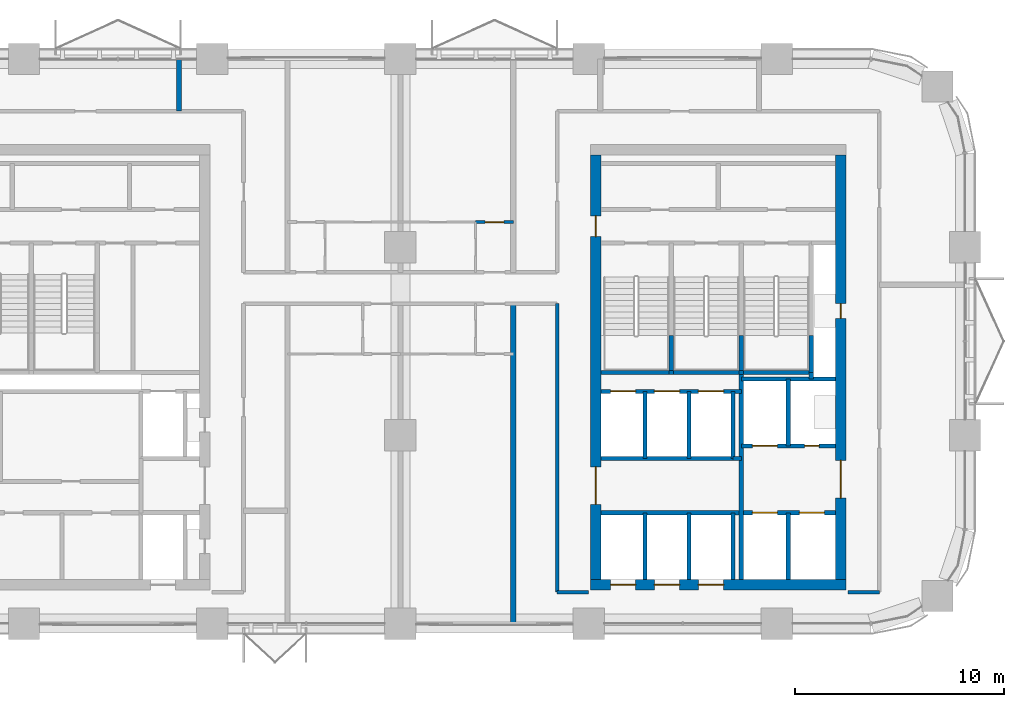
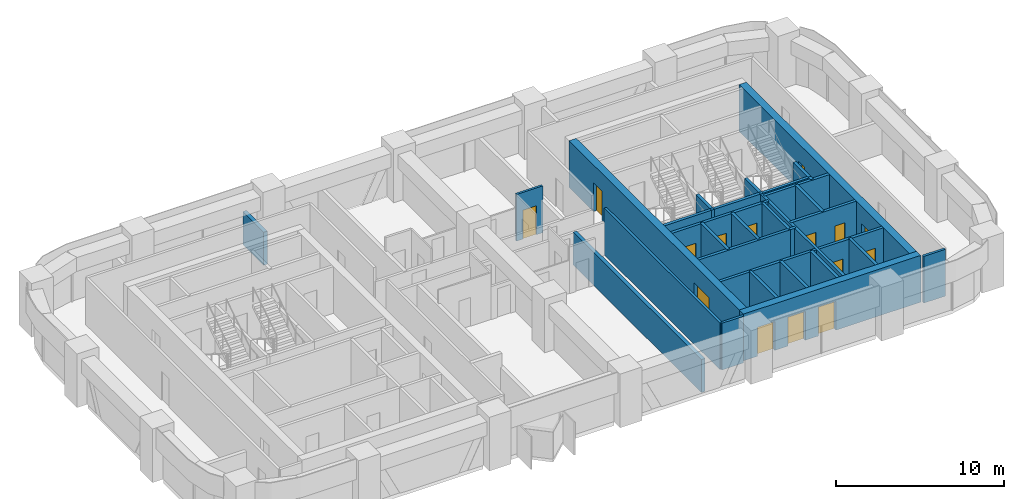
# One storey, part 10 of 14: 33 walls, 15 doors, 15 openings.
"""IFC4 building model written with IfcOpenShell, lengths in metres."""

from ifc_helpers import new_model, si_unit, direction, frame, frame_2d, origin, place, context, subcontext, project, spatial, rectangle, extrude, material, layer, layer_set, type_object, element, fill, save


model = new_model("IFC4")

# Units and contexts
model_context = context("Model", 3, precision=1e-05, world=origin(), true_north=direction((0.0, 1.0)))
body_context = subcontext(model_context, "Body", "Model", "MODEL_VIEW")
ifc_project = project(units=[si_unit("LENGTHUNIT", "METRE"), si_unit("AREAUNIT", "SQUARE_METRE"), si_unit("VOLUMEUNIT", "CUBIC_METRE"), si_unit("PLANEANGLEUNIT", "RADIAN"), si_unit("MASSUNIT", "GRAM", prefix="KILO")], contexts=[model_context])

# Site, building, storey
site_placement = place(None, origin())
site = spatial("IfcSite", under=ifc_project, at=site_placement, CompositionType="ELEMENT")
building_placement = place(site_placement, origin())
building = spatial("IfcBuilding", under=site, at=building_placement, Name="Tessera Arch", CompositionType="ELEMENT")
storey_placement = place(building_placement, frame((0.0, 0.0, 193.39990234375)))
storey = spatial("IfcBuildingStorey", under=building, at=storey_placement, Name="L46", CompositionType="ELEMENT", Elevation=193.39990234375)

# Wall
ifc_material_1 = material(Name="Gypsum board on steel stud", Category="steel")
ifc_layer_1 = layer(ifc_material_1, 0.125)
ifc_layer_set_1 = layer_set([ifc_layer_1], Name="Core partition 125 EI 60")
wall_type_1 = type_object("IfcWallType", Name="Core partition 125 EI 60", PredefinedType="PARTITIONING", material=ifc_layer_set_1)
wall_1_placement = place(storey_placement, frame((42.89990234375, 34.89990234375, 0.0), z_axis=(0.0, 0.0, 1.0), x_axis=(1.0, 0.0, 0.0)))
element("IfcWall", 1, at=wall_1_placement, inside=storey, type_object=wall_type_1, Name="L46 C1 partition wall 19", PredefinedType="PARTITIONING", context=body_context, shape_type="SweptSolid", body=[
    extrude(rectangle(XDim=0.400146484375, YDim=0.199951171875, at=frame_2d((0.2001953125, 0.0))), origin(), (0.0, 0.0, 1.0), 3.400146484375),
])

# Wall, openings, doors
ifc_material_2 = material(Name="Concrete C60/75", Category="concrete")
ifc_layer_2 = layer(ifc_material_2, 0.5)
ifc_layer_set_2 = layer_set([ifc_layer_2], Name="Core shell wall 500 C60-75")
wall_type_2 = type_object("IfcWallType", Name="Core shell wall 500 C60-75", PredefinedType="SHEAR", material=ifc_layer_set_2)
wall_2_placement = place(storey_placement, frame((36.10009765625, 28.85009765625, 0.0), z_axis=(0.0, 0.0, 1.0), x_axis=(1.0, 0.0, 0.0)))
wall_2 = element("IfcWall", 2, at=wall_2_placement, inside=storey, type_object=wall_type_2, Name="L46 C1 core wall S", PredefinedType="SHEAR", context=body_context, shape_type="SweptSolid", body=[
    extrude(rectangle(XDim=12.199951171875, YDim=0.5, at=frame_2d((6.10009765625, 0.0))), origin(), (0.0, 0.0, 1.0), 3.400146484375),
])
opening_1_placement = place(wall_2_placement, frame((0.949951171875, 0.0, 0.0)))
opening_1 = element("IfcOpeningElement", 3, at=opening_1_placement, cuts=wall_2, Name="Opening L46-C01", PredefinedType="OPENING", context=body_context, shape_type="SweptSolid", body=[
    extrude(rectangle(XDim=1.199951171875, YDim=2.10009765625, at=frame_2d((0.60009765625, 1.050048828125))), frame((0.0, 0.260009765625, 0.0), z_axis=(0.0, -1.0, 0.0), x_axis=(1.0, 0.0, 0.0)), (0.0, 0.0, 1.0), 0.52001953125),
])
opening_2_placement = place(wall_2_placement, frame((3.050048828125, 0.0, 0.0)))
opening_2 = element("IfcOpeningElement", 4, at=opening_2_placement, cuts=wall_2, Name="Opening L46-C03", PredefinedType="OPENING", context=body_context, shape_type="SweptSolid", body=[
    extrude(rectangle(XDim=1.199951171875, YDim=2.10009765625, at=frame_2d((0.60009765625, 1.050048828125))), frame((0.0, 0.260009765625, 0.0), z_axis=(0.0, -1.0, 0.0), x_axis=(1.0, 0.0, 0.0)), (0.0, 0.0, 1.0), 0.52001953125),
])
opening_3_placement = place(wall_2_placement, frame((5.14990234375, 0.0, 0.0)))
opening_3 = element("IfcOpeningElement", 5, at=opening_3_placement, cuts=wall_2, Name="Opening L46-C05", PredefinedType="OPENING", context=body_context, shape_type="SweptSolid", body=[
    extrude(rectangle(XDim=1.199951171875, YDim=2.10009765625, at=frame_2d((0.60009765625, 1.050048828125))), frame((0.0, 0.260009765625, 0.0), z_axis=(0.0, -1.0, 0.0), x_axis=(1.0, 0.0, 0.0)), (0.0, 0.0, 1.0), 0.52001953125),
])
ifc_material_3 = material(Name="Stainless steel AISI 304", Category="steel")
door_type_1 = type_object("IfcDoorType", Name="Sliding landing door 1200 x 2100", OperationType="SLIDING_TO_LEFT", PredefinedType="DOOR", material=ifc_material_3)
door_1_placement = place(opening_1_placement, origin())
door_1 = element("IfcDoor", 6, at=door_1_placement, inside=storey, type_object=door_type_1, Name="L46 HR1 lift landing door C01 type LD", OperationType="SLIDING_TO_LEFT", OverallHeight=2.10009765625, OverallWidth=1.199951171875, PredefinedType="DOOR", context=body_context, shape_type="SweptSolid", body=[
    extrude(rectangle(XDim=1.199951171875, YDim=2.10009765625, at=frame_2d((0.60009765625, 1.050048828125))), frame((0.0, 0.02490234375, 0.0), z_axis=(0.0, -1.0, 0.0), x_axis=(1.0, 0.0, 0.0)), (0.0, 0.0, 1.0), 0.050048828125),
])
fill(opening_1, door_1)
door_2_placement = place(opening_2_placement, origin())
door_2 = element("IfcDoor", 7, at=door_2_placement, inside=storey, type_object=door_type_1, Name="L46 HR2 lift landing door C03 type LD", OperationType="SLIDING_TO_LEFT", OverallHeight=2.10009765625, OverallWidth=1.199951171875, PredefinedType="DOOR", context=body_context, shape_type="SweptSolid", body=[
    extrude(rectangle(XDim=1.199951171875, YDim=2.10009765625, at=frame_2d((0.60009765625, 1.050048828125))), frame((0.0, 0.02490234375, 0.0), z_axis=(0.0, -1.0, 0.0), x_axis=(1.0, 0.0, 0.0)), (0.0, 0.0, 1.0), 0.050048828125),
])
fill(opening_2, door_2)
door_3_placement = place(opening_3_placement, origin())
door_3 = element("IfcDoor", 8, at=door_3_placement, inside=storey, type_object=door_type_1, Name="L46 HR3 lift landing door C05 type LD", OperationType="SLIDING_TO_LEFT", OverallHeight=2.10009765625, OverallWidth=1.199951171875, PredefinedType="DOOR", context=body_context, shape_type="SweptSolid", body=[
    extrude(rectangle(XDim=1.199951171875, YDim=2.10009765625, at=frame_2d((0.60009765625, 1.050048828125))), frame((0.0, 0.02490234375, 0.0), z_axis=(0.0, -1.0, 0.0), x_axis=(1.0, 0.0, 0.0)), (0.0, 0.0, 1.0), 0.050048828125),
])
fill(opening_3, door_3)

wall_3_placement = place(storey_placement, frame((36.35009765625, 29.10009765625, 0.0), z_axis=(0.0, 0.0, 1.0), x_axis=(0.0, 1.0, 0.0)))
wall_3 = element("IfcWall", 9, at=wall_3_placement, inside=storey, type_object=wall_type_2, Name="L46 C1 core wall W", PredefinedType="SHEAR", context=body_context, shape_type="SweptSolid", body=[
    extrude(rectangle(XDim=20.2998046875, YDim=0.5, at=frame_2d((10.14990234375, 0.0))), origin(), (0.0, 0.0, 1.0), 3.400146484375),
])
opening_4_placement = place(wall_3_placement, frame((3.60009765625, 0.0, 0.0)))
opening_4 = element("IfcOpeningElement", 10, at=opening_4_placement, cuts=wall_3, Name="Opening L46-C10", PredefinedType="OPENING", context=body_context, shape_type="SweptSolid", body=[
    extrude(rectangle(XDim=1.800048828125, YDim=2.10009765625, at=frame_2d((0.89990234375, 1.050048828125))), frame((0.0, 0.260009765625, 0.0), z_axis=(0.0, -1.0, 0.0), x_axis=(1.0, 0.0, 0.0)), (0.0, 0.0, 1.0), 0.52001953125),
])
opening_5_placement = place(wall_3_placement, frame((16.39990234375, 0.0, 0.0)))
opening_5 = element("IfcOpeningElement", 11, at=opening_5_placement, cuts=wall_3, Name="Opening L46-C17", PredefinedType="OPENING", context=body_context, shape_type="SweptSolid", body=[
    extrude(rectangle(XDim=1.0, YDim=2.10009765625, at=frame_2d((0.5, 1.050048828125))), frame((0.0, 0.260009765625, 0.0), z_axis=(0.0, -1.0, 0.0), x_axis=(1.0, 0.0, 0.0)), (0.0, 0.0, 1.0), 0.52001953125),
])
ifc_material_4 = material(Name="Steel door leaf", Category="steel")
door_type_2 = type_object("IfcDoorType", Name="Corridor door FD60 1000 x 2100", OperationType="SINGLE_SWING_LEFT", PredefinedType="DOOR", material=ifc_material_4)
door_4_placement = place(opening_5_placement, origin())
door_4 = element("IfcDoor", 12, at=door_4_placement, inside=storey, type_object=door_type_2, Name="L46 C1 door 17 C17 type D12", OperationType="SINGLE_SWING_RIGHT", OverallHeight=2.10009765625, OverallWidth=1.0, PredefinedType="DOOR", context=body_context, shape_type="SweptSolid", body=[
    extrude(rectangle(XDim=1.0, YDim=2.10009765625, at=frame_2d((0.5, 1.050048828125))), frame((0.0, 0.02490234375, 0.0), z_axis=(0.0, -1.0, 0.0), x_axis=(1.0, 0.0, 0.0)), (0.0, 0.0, 1.0), 0.050048828125),
])
fill(opening_5, door_4)
ifc_material_5 = material(Name="Glazed steel door leaf", Category="steel")
door_type_3 = type_object("IfcDoorType", Name="Lobby double door FD30S 1800 x 2100", OperationType="DOUBLE_DOOR_SINGLE_SWING", PredefinedType="DOOR", material=ifc_material_5)
door_5_placement = place(opening_4_placement, origin())
door_5 = element("IfcDoor", 13, at=door_5_placement, inside=storey, type_object=door_type_3, Name="L46 C1 door 10 C10 type D06", OperationType="DOUBLE_DOOR_SINGLE_SWING", OverallHeight=2.10009765625, OverallWidth=1.800048828125, PredefinedType="DOOR", context=body_context, shape_type="SweptSolid", body=[
    extrude(rectangle(XDim=1.800048828125, YDim=2.10009765625, at=frame_2d((0.89990234375, 1.050048828125))), frame((0.0, 0.02490234375, 0.0), z_axis=(0.0, -1.0, 0.0), x_axis=(1.0, 0.0, 0.0)), (0.0, 0.0, 1.0), 0.050048828125),
])
fill(opening_4, door_5)

wall_4_placement = place(storey_placement, frame((48.050048828125, 29.10009765625, 0.0), z_axis=(0.0, 0.0, 1.0), x_axis=(0.0, 1.0, 0.0)))
wall_4 = element("IfcWall", 14, at=wall_4_placement, inside=storey, type_object=wall_type_2, Name="L46 C1 core wall E", PredefinedType="SHEAR", context=body_context, shape_type="SweptSolid", body=[
    extrude(rectangle(XDim=20.2998046875, YDim=0.5, at=frame_2d((10.14990234375, 0.0))), origin(), (0.0, 0.0, 1.0), 3.400146484375),
])
opening_6_placement = place(wall_4_placement, frame((12.5, 0.0, 0.0)))
opening_6 = element("IfcOpeningElement", 15, at=opening_6_placement, cuts=wall_4, Name="Opening L46-C14", PredefinedType="OPENING", context=body_context, shape_type="SweptSolid", body=[
    extrude(rectangle(XDim=0.699951171875, YDim=2.10009765625, at=frame_2d((0.35009765625, 1.050048828125))), frame((0.0, 0.260009765625, 0.0), z_axis=(0.0, -1.0, 0.0), x_axis=(1.0, 0.0, 0.0)), (0.0, 0.0, 1.0), 0.52001953125),
])
opening_7_placement = place(wall_4_placement, frame((3.89990234375, 0.0, 0.0)))
opening_7 = element("IfcOpeningElement", 16, at=opening_7_placement, cuts=wall_4, Name="Opening L46-C15", PredefinedType="OPENING", context=body_context, shape_type="SweptSolid", body=[
    extrude(rectangle(XDim=1.800048828125, YDim=2.10009765625, at=frame_2d((0.89990234375, 1.050048828125))), frame((0.0, 0.260009765625, 0.0), z_axis=(0.0, -1.0, 0.0), x_axis=(1.0, 0.0, 0.0)), (0.0, 0.0, 1.0), 0.52001953125),
])
ifc_material_6 = material(Name="Glazed steel door leaf", Category="steel")
door_type_4 = type_object("IfcDoorType", Name="Lobby double door FD60 1800 x 2100", OperationType="DOUBLE_DOOR_SINGLE_SWING", PredefinedType="DOOR", material=ifc_material_6)
door_6_placement = place(opening_7_placement, origin())
door_6 = element("IfcDoor", 17, at=door_6_placement, inside=storey, type_object=door_type_4, Name="L46 C1 door 15 C15 type D19", OperationType="DOUBLE_DOOR_SINGLE_SWING", OverallHeight=2.10009765625, OverallWidth=1.800048828125, PredefinedType="DOOR", context=body_context, shape_type="SweptSolid", body=[
    extrude(rectangle(XDim=1.800048828125, YDim=2.10009765625, at=frame_2d((0.89990234375, 1.050048828125))), frame((0.0, 0.02490234375, 0.0), z_axis=(0.0, -1.0, 0.0), x_axis=(1.0, 0.0, 0.0)), (0.0, 0.0, 1.0), 0.050048828125),
])
fill(opening_7, door_6)
ifc_material_7 = material(Name="Steel door leaf", Category="steel")
door_type_5 = type_object("IfcDoorType", Name="Service shaft door FD60 700 x 2100", OperationType="SINGLE_SWING_LEFT", PredefinedType="DOOR", material=ifc_material_7)
door_7_placement = place(opening_6_placement, origin())
door_7 = element("IfcDoor", 18, at=door_7_placement, inside=storey, type_object=door_type_5, Name="L46 C1 door 14 C14 type D07", OperationType="SINGLE_SWING_RIGHT", OverallHeight=2.10009765625, OverallWidth=0.699951171875, PredefinedType="DOOR", context=body_context, shape_type="SweptSolid", body=[
    extrude(rectangle(XDim=0.699951171875, YDim=2.10009765625, at=frame_2d((0.35009765625, 1.050048828125))), frame((0.0, 0.02490234375, 0.0), z_axis=(0.0, -1.0, 0.0), x_axis=(1.0, 0.0, 0.0)), (0.0, 0.0, 1.0), 0.050048828125),
])
fill(opening_6, door_7)

# Walls
ifc_material_8 = material(Name="Gypsum board on deep steel stud with mineral wool", Category="steel")
ifc_layer_3 = layer(ifc_material_8, 0.175048828125)
ifc_layer_set_3 = layer_set([ifc_layer_3], Name="Corridor wall 175 EI 60")
wall_type_3 = type_object("IfcWallType", Name="Corridor wall 175 EI 60", PredefinedType="PARTITIONING", material=ifc_layer_set_3)
for number, where, z_axis, x_axis, name in (
    (19, (34.5, 28.5, 0.0), (0.0, 0.0, 1.0), (1.0, 0.0, 0.0), "L46 partition 3"),
    (20, (48.39990234375, 28.5, 0.0), (0.0, 0.0, 1.0), (1.0, 0.0, 0.0), "L46 partition 4"),
):
    element("IfcWall", number, at=place(storey_placement, frame(where, z_axis=z_axis, x_axis=x_axis)), inside=storey, type_object=wall_type_3, Name=name, PredefinedType="PARTITIONING", context=body_context, shape_type="SweptSolid", body=[
        extrude(rectangle(XDim=1.5, YDim=0.175048828125, at=frame_2d((0.75, 0.0))), origin(), (0.0, 0.0, 1.0), 3.400146484375),
    ])
wall_5_placement = place(storey_placement, frame((34.5, 28.5, 0.0), z_axis=(0.0, 0.0, 1.0), x_axis=(0.0, 1.0, 0.0)))
element("IfcWall", 21, at=wall_5_placement, inside=storey, type_object=wall_type_3, Name="L46 partition 12", PredefinedType="PARTITIONING", context=body_context, shape_type="SweptSolid", body=[
    extrude(rectangle(XDim=13.800048828125, YDim=0.175048828125, at=frame_2d((6.89990234375, 0.0))), origin(), (0.0, 0.0, 1.0), 3.400146484375),
])

# Wall, opening, door
ifc_material_9 = material(Name="Gypsum board on steel stud", Category="steel")
ifc_layer_4 = layer(ifc_material_9, 0.14990234375)
ifc_layer_set_4 = layer_set([ifc_layer_4], Name="Partition 150")
wall_type_4 = type_object("IfcWallType", Name="Partition 150", PredefinedType="PARTITIONING", material=ifc_layer_set_4)
wall_6_placement = place(storey_placement, frame((30.60009765625, 46.199951171875, 0.0), z_axis=(0.0, 0.0, 1.0), x_axis=(1.0, 0.0, 0.0)))
wall_6 = element("IfcWall", 22, at=wall_6_placement, inside=storey, type_object=wall_type_4, Name="L46 partition 18", PredefinedType="PARTITIONING", context=body_context, shape_type="SweptSolid", body=[
    extrude(rectangle(XDim=1.7998046875, YDim=0.14990234375, at=frame_2d((0.89990234375, 0.0))), origin(), (0.0, 0.0, 1.0), 3.400146484375),
])
opening_8_placement = place(wall_6_placement, frame((0.449951171875, 0.0, 0.0)))
opening_8 = element("IfcOpeningElement", 23, at=opening_8_placement, cuts=wall_6, Name="Opening L46-D018", PredefinedType="OPENING", context=body_context, shape_type="SweptSolid", body=[
    extrude(rectangle(XDim=0.89990234375, YDim=2.10009765625, at=frame_2d((0.449951171875, 1.050048828125))), frame((0.0, 0.0849609375, 0.0), z_axis=(0.0, -1.0, 0.0), x_axis=(1.0, 0.0, 0.0)), (0.0, 0.0, 1.0), 0.169921875),
])
ifc_material_10 = material(Name="Timber door leaf", Category="wood")
door_type_6 = type_object("IfcDoorType", Name="Room door 900 x 2100", OperationType="SINGLE_SWING_LEFT", PredefinedType="DOOR", material=ifc_material_10)
door_8_placement = place(opening_8_placement, origin())
door_8 = element("IfcDoor", 24, at=door_8_placement, inside=storey, type_object=door_type_6, Name="L46 door D018 type D01", OperationType="SINGLE_SWING_LEFT", OverallHeight=2.10009765625, OverallWidth=0.89990234375, PredefinedType="DOOR", context=body_context, shape_type="SweptSolid", body=[
    extrude(rectangle(XDim=0.89990234375, YDim=2.10009765625, at=frame_2d((0.449951171875, 1.050048828125))), frame((0.0, 0.02490234375, 0.0), z_axis=(0.0, -1.0, 0.0), x_axis=(1.0, 0.0, 0.0)), (0.0, 0.0, 1.0), 0.050048828125),
])
fill(opening_8, door_8)

# Walls
ifc_material_11 = material(Name="Double gypsum board on twin steel stud with acoustic mineral wool", Category="steel")
ifc_layer_5 = layer(ifc_material_11, 0.25)
ifc_layer_set_5 = layer_set([ifc_layer_5], Name="Party wall 250 EI 60")
wall_type_5 = type_object("IfcWallType", Name="Party wall 250 EI 60", PredefinedType="PARTITIONING", material=ifc_layer_set_5)
wall_7_placement = place(storey_placement, frame((16.416015625, 51.5, 0.0), z_axis=(0.0, 0.0, 1.0), x_axis=(0.0, 1.0, 0.0)))
element("IfcWall", 25, at=wall_7_placement, inside=storey, type_object=wall_type_5, Name="L46 partition 23", PredefinedType="PARTITIONING", context=body_context, shape_type="SweptSolid", body=[
    extrude(rectangle(XDim=2.5, YDim=0.25, at=frame_2d((1.25, 0.0))), origin(), (0.0, 0.0, 1.0), 2.400146484375),
])
wall_8_placement = place(storey_placement, frame((32.39990234375, 27.0, 0.0), z_axis=(0.0, 0.0, 1.0), x_axis=(0.0, 1.0, 0.0)))
element("IfcWall", 26, at=wall_8_placement, inside=storey, type_object=wall_type_5, Name="L46 partition 28", PredefinedType="PARTITIONING", context=body_context, shape_type="SweptSolid", body=[
    extrude(rectangle(XDim=15.300048828125, YDim=0.25, at=frame_2d((7.64990234375, 0.0))), origin(), (0.0, 0.0, 1.0), 2.400146484375),
])
ifc_material_12 = material(Name="Concrete C40/50", Category="concrete")
ifc_layer_6 = layer(ifc_material_12, 0.199951171875)
ifc_layer_set_6 = layer_set([ifc_layer_6], Name="Shaft wall 200 EI 120")
wall_type_6 = type_object("IfcWallType", Name="Shaft wall 200 EI 120", PredefinedType="SOLIDWALL", material=ifc_layer_set_6)
wall_9_placement = place(storey_placement, frame((38.699951171875, 29.10009765625, 0.0), z_axis=(0.0, 0.0, 1.0), x_axis=(0.0, 1.0, 0.0)))
element("IfcWall", 27, at=wall_9_placement, inside=storey, type_object=wall_type_6, Name="L46 C1 shaft wall 1", PredefinedType="SOLIDWALL", context=body_context, shape_type="SweptSolid", body=[
    extrude(rectangle(XDim=3.199951171875, YDim=0.199951171875, at=frame_2d((1.60009765625, 0.0))), origin(), (0.0, 0.0, 1.0), 3.400146484375),
])
wall_10_placement = place(storey_placement, frame((38.699951171875, 34.89990234375, 0.0), z_axis=(0.0, 0.0, 1.0), x_axis=(0.0, 1.0, 0.0)))
element("IfcWall", 28, at=wall_10_placement, inside=storey, type_object=wall_type_6, Name="L46 C1 shaft wall 2", PredefinedType="SOLIDWALL", context=body_context, shape_type="SweptSolid", body=[
    extrude(rectangle(XDim=3.2001953125, YDim=0.199951171875, at=frame_2d((1.60009765625, 0.0))), origin(), (0.0, 0.0, 1.0), 3.400146484375),
])
wall_11_placement = place(storey_placement, frame((40.800048828125, 29.10009765625, 0.0), z_axis=(0.0, 0.0, 1.0), x_axis=(0.0, 1.0, 0.0)))
element("IfcWall", 29, at=wall_11_placement, inside=storey, type_object=wall_type_6, Name="L46 C1 shaft wall 5", PredefinedType="SOLIDWALL", context=body_context, shape_type="SweptSolid", body=[
    extrude(rectangle(XDim=3.199951171875, YDim=0.199951171875, at=frame_2d((1.60009765625, 0.0))), origin(), (0.0, 0.0, 1.0), 3.400146484375),
])
wall_12_placement = place(storey_placement, frame((40.800048828125, 34.89990234375, 0.0), z_axis=(0.0, 0.0, 1.0), x_axis=(0.0, 1.0, 0.0)))
element("IfcWall", 30, at=wall_12_placement, inside=storey, type_object=wall_type_6, Name="L46 C1 shaft wall 6", PredefinedType="SOLIDWALL", context=body_context, shape_type="SweptSolid", body=[
    extrude(rectangle(XDim=3.2001953125, YDim=0.199951171875, at=frame_2d((1.60009765625, 0.0))), origin(), (0.0, 0.0, 1.0), 3.400146484375),
])
wall_13_placement = place(storey_placement, frame((42.89990234375, 29.10009765625, 0.0), z_axis=(0.0, 0.0, 1.0), x_axis=(0.0, 1.0, 0.0)))
element("IfcWall", 31, at=wall_13_placement, inside=storey, type_object=wall_type_6, Name="L46 C1 shaft wall 8", PredefinedType="SOLIDWALL", context=body_context, shape_type="SweptSolid", body=[
    extrude(rectangle(XDim=3.199951171875, YDim=0.199951171875, at=frame_2d((1.60009765625, 0.0))), origin(), (0.0, 0.0, 1.0), 3.400146484375),
])
wall_14_placement = place(storey_placement, frame((42.89990234375, 34.89990234375, 0.0), z_axis=(0.0, 0.0, 1.0), x_axis=(0.0, 1.0, 0.0)))
element("IfcWall", 32, at=wall_14_placement, inside=storey, type_object=wall_type_6, Name="L46 C1 shaft wall 9", PredefinedType="SOLIDWALL", context=body_context, shape_type="SweptSolid", body=[
    extrude(rectangle(XDim=3.2001953125, YDim=0.199951171875, at=frame_2d((1.60009765625, 0.0))), origin(), (0.0, 0.0, 1.0), 3.400146484375),
])
wall_15_placement = place(storey_placement, frame((43.300048828125, 29.10009765625, 0.0), z_axis=(0.0, 0.0, 1.0), x_axis=(0.0, 1.0, 0.0)))
element("IfcWall", 33, at=wall_15_placement, inside=storey, type_object=wall_type_6, Name="L46 C1 shaft wall 10", PredefinedType="SOLIDWALL", context=body_context, shape_type="SweptSolid", body=[
    extrude(rectangle(XDim=9.89990234375, YDim=0.199951171875, at=frame_2d((4.949951171875, 0.0))), origin(), (0.0, 0.0, 1.0), 3.400146484375),
])
for number, where, z_axis, x_axis, name in (
    (34, (45.550048828125, 29.10009765625, 0.0), (0.0, 0.0, 1.0), (0.0, 1.0, 0.0), "L46 C1 shaft wall 13"),
    (35, (45.550048828125, 35.5, 0.0), (0.0, 0.0, 1.0), (0.0, 1.0, 0.0), "L46 C1 shaft wall 14"),
):
    element("IfcWall", number, at=place(storey_placement, frame(where, z_axis=z_axis, x_axis=x_axis)), inside=storey, type_object=wall_type_6, Name=name, PredefinedType="SOLIDWALL", context=body_context, shape_type="SweptSolid", body=[
        extrude(rectangle(XDim=3.199951171875, YDim=0.199951171875, at=frame_2d((1.60009765625, 0.0))), origin(), (0.0, 0.0, 1.0), 3.400146484375),
    ])
wall_16_placement = place(storey_placement, frame((46.64990234375, 38.699951171875, 0.0), z_axis=(0.0, 0.0, 1.0), x_axis=(0.0, 1.0, 0.0)))
element("IfcWall", 36, at=wall_16_placement, inside=storey, type_object=wall_type_6, Name="L46 C1 shaft wall 15", PredefinedType="SOLIDWALL", context=body_context, shape_type="SweptSolid", body=[
    extrude(rectangle(XDim=0.300048828125, YDim=0.199951171875, at=frame_2d((0.14990234375, 0.0))), origin(), (0.0, 0.0, 1.0), 3.400146484375),
])

# Wall, openings, doors
wall_17_placement = place(storey_placement, frame((36.60009765625, 32.300048828125, 0.0), z_axis=(0.0, 0.0, 1.0), x_axis=(1.0, 0.0, 0.0)))
wall_17 = element("IfcWall", 37, at=wall_17_placement, inside=storey, type_object=wall_type_6, Name="L46 C1 shaft wall 18", PredefinedType="SOLIDWALL", context=body_context, shape_type="SweptSolid", body=[
    extrude(rectangle(XDim=11.199951171875, YDim=0.199951171875, at=frame_2d((5.60009765625, 0.0))), origin(), (0.0, 0.0, 1.0), 3.400146484375),
])
opening_9_placement = place(wall_17_placement, frame((7.22509765625, 0.0, 0.0)))
opening_9 = element("IfcOpeningElement", 38, at=opening_9_placement, cuts=wall_17, Name="Opening L46-C07", PredefinedType="OPENING", context=body_context, shape_type="SweptSolid", body=[
    extrude(rectangle(XDim=1.199951171875, YDim=2.10009765625, at=frame_2d((0.60009765625, 1.050048828125))), frame((0.0, 0.10986328125, 0.0), z_axis=(0.0, -1.0, 0.0), x_axis=(1.0, 0.0, 0.0)), (0.0, 0.0, 1.0), 0.219970703125),
])
opening_10_placement = place(wall_17_placement, frame((9.47509765625, 0.0, 0.0)))
opening_10 = element("IfcOpeningElement", 39, at=opening_10_placement, cuts=wall_17, Name="Opening L46-C08", PredefinedType="OPENING", context=body_context, shape_type="SweptSolid", body=[
    extrude(rectangle(XDim=1.199951171875, YDim=2.10009765625, at=frame_2d((0.60009765625, 1.050048828125))), frame((0.0, 0.10986328125, 0.0), z_axis=(0.0, -1.0, 0.0), x_axis=(1.0, 0.0, 0.0)), (0.0, 0.0, 1.0), 0.219970703125),
])
door_9_placement = place(opening_9_placement, origin())
door_9 = element("IfcDoor", 40, at=door_9_placement, inside=storey, type_object=door_type_1, Name="L46 FF1 lift landing door C07 type LD", OperationType="SLIDING_TO_LEFT", OverallHeight=2.10009765625, OverallWidth=1.199951171875, PredefinedType="DOOR", context=body_context, shape_type="SweptSolid", body=[
    extrude(rectangle(XDim=1.199951171875, YDim=2.10009765625, at=frame_2d((0.60009765625, 1.050048828125))), frame((0.0, 0.02490234375, 0.0), z_axis=(0.0, -1.0, 0.0), x_axis=(1.0, 0.0, 0.0)), (0.0, 0.0, 1.0), 0.050048828125),
])
fill(opening_9, door_9)
door_10_placement = place(opening_10_placement, origin())
door_10 = element("IfcDoor", 41, at=door_10_placement, inside=storey, type_object=door_type_1, Name="L46 FF2 lift landing door C08 type LD", OperationType="SLIDING_TO_LEFT", OverallHeight=2.10009765625, OverallWidth=1.199951171875, PredefinedType="DOOR", context=body_context, shape_type="SweptSolid", body=[
    extrude(rectangle(XDim=1.199951171875, YDim=2.10009765625, at=frame_2d((0.60009765625, 1.050048828125))), frame((0.0, 0.02490234375, 0.0), z_axis=(0.0, -1.0, 0.0), x_axis=(1.0, 0.0, 0.0)), (0.0, 0.0, 1.0), 0.050048828125),
])
fill(opening_10, door_10)

# Wall
wall_18_placement = place(storey_placement, frame((36.60009765625, 34.89990234375, 0.0), z_axis=(0.0, 0.0, 1.0), x_axis=(1.0, 0.0, 0.0)))
element("IfcWall", 42, at=wall_18_placement, inside=storey, type_object=wall_type_6, Name="L46 C1 shaft wall 20", PredefinedType="SOLIDWALL", context=body_context, shape_type="SweptSolid", body=[
    extrude(rectangle(XDim=6.2998046875, YDim=0.199951171875, at=frame_2d((3.14990234375, 0.0))), origin(), (0.0, 0.0, 1.0), 3.400146484375),
])

# Wall, openings, doors
wall_19_placement = place(storey_placement, frame((43.300048828125, 35.5, 0.0), z_axis=(0.0, 0.0, 1.0), x_axis=(1.0, 0.0, 0.0)))
wall_19 = element("IfcWall", 43, at=wall_19_placement, inside=storey, type_object=wall_type_6, Name="L46 C1 shaft wall 21", PredefinedType="SOLIDWALL", context=body_context, shape_type="SweptSolid", body=[
    extrude(rectangle(XDim=4.5, YDim=0.199951171875, at=frame_2d((2.25, 0.0))), origin(), (0.0, 0.0, 1.0), 3.400146484375),
])
opening_11_placement = place(wall_19_placement, frame((0.52490234375, 0.0, 0.0)))
opening_11 = element("IfcOpeningElement", 44, at=opening_11_placement, cuts=wall_19, Name="Opening L46-C09", PredefinedType="OPENING", context=body_context, shape_type="SweptSolid", body=[
    extrude(rectangle(XDim=1.199951171875, YDim=2.10009765625, at=frame_2d((0.60009765625, 1.050048828125))), frame((0.0, 0.10986328125, 0.0), z_axis=(0.0, -1.0, 0.0), x_axis=(1.0, 0.0, 0.0)), (0.0, 0.0, 1.0), 0.219970703125),
])
opening_12_placement = place(wall_19_placement, frame((3.02490234375, 0.0, 0.0)))
opening_12 = element("IfcOpeningElement", 45, at=opening_12_placement, cuts=wall_19, Name="Opening L46-C16", PredefinedType="OPENING", context=body_context, shape_type="SweptSolid", body=[
    extrude(rectangle(XDim=0.699951171875, YDim=2.10009765625, at=frame_2d((0.35009765625, 1.050048828125))), frame((0.0, 0.10986328125, 0.0), z_axis=(0.0, -1.0, 0.0), x_axis=(1.0, 0.0, 0.0)), (0.0, 0.0, 1.0), 0.219970703125),
])
door_11_placement = place(opening_12_placement, origin())
door_11 = element("IfcDoor", 46, at=door_11_placement, inside=storey, type_object=door_type_5, Name="L46 C1 door 16 C16 type D07", OperationType="SINGLE_SWING_RIGHT", OverallHeight=2.10009765625, OverallWidth=0.699951171875, PredefinedType="DOOR", context=body_context, shape_type="SweptSolid", body=[
    extrude(rectangle(XDim=0.699951171875, YDim=2.10009765625, at=frame_2d((0.35009765625, 1.050048828125))), frame((0.0, 0.02490234375, 0.0), z_axis=(0.0, -1.0, 0.0), x_axis=(1.0, 0.0, 0.0)), (0.0, 0.0, 1.0), 0.050048828125),
])
fill(opening_12, door_11)
door_12_placement = place(opening_11_placement, origin())
door_12 = element("IfcDoor", 47, at=door_12_placement, inside=storey, type_object=door_type_1, Name="L46 SV2 lift landing door C09 type LD", OperationType="SLIDING_TO_LEFT", OverallHeight=2.10009765625, OverallWidth=1.199951171875, PredefinedType="DOOR", context=body_context, shape_type="SweptSolid", body=[
    extrude(rectangle(XDim=1.199951171875, YDim=2.10009765625, at=frame_2d((0.60009765625, 1.050048828125))), frame((0.0, 0.02490234375, 0.0), z_axis=(0.0, -1.0, 0.0), x_axis=(1.0, 0.0, 0.0)), (0.0, 0.0, 1.0), 0.050048828125),
])
fill(opening_11, door_12)

wall_20_placement = place(storey_placement, frame((36.60009765625, 38.10009765625, 0.0), z_axis=(0.0, 0.0, 1.0), x_axis=(1.0, 0.0, 0.0)))
wall_20 = element("IfcWall", 48, at=wall_20_placement, inside=storey, type_object=wall_type_6, Name="L46 C1 shaft wall 22", PredefinedType="SOLIDWALL", context=body_context, shape_type="SweptSolid", body=[
    extrude(rectangle(XDim=6.699951171875, YDim=0.199951171875, at=frame_2d((3.35009765625, 0.0))), origin(), (0.0, 0.0, 1.0), 3.400146484375),
])
opening_13_placement = place(wall_20_placement, frame((0.449951171875, 0.0, 0.0)))
opening_13 = element("IfcOpeningElement", 49, at=opening_13_placement, cuts=wall_20, Name="Opening L46-C02", PredefinedType="OPENING", context=body_context, shape_type="SweptSolid", body=[
    extrude(rectangle(XDim=1.199951171875, YDim=2.10009765625, at=frame_2d((0.60009765625, 1.050048828125))), frame((0.0, 0.10986328125, 0.0), z_axis=(0.0, -1.0, 0.0), x_axis=(1.0, 0.0, 0.0)), (0.0, 0.0, 1.0), 0.219970703125),
])
opening_14_placement = place(wall_20_placement, frame((2.550048828125, 0.0, 0.0)))
opening_14 = element("IfcOpeningElement", 50, at=opening_14_placement, cuts=wall_20, Name="Opening L46-C04", PredefinedType="OPENING", context=body_context, shape_type="SweptSolid", body=[
    extrude(rectangle(XDim=1.199951171875, YDim=2.10009765625, at=frame_2d((0.60009765625, 1.050048828125))), frame((0.0, 0.10986328125, 0.0), z_axis=(0.0, -1.0, 0.0), x_axis=(1.0, 0.0, 0.0)), (0.0, 0.0, 1.0), 0.219970703125),
])
opening_15_placement = place(wall_20_placement, frame((4.64990234375, 0.0, 0.0)))
opening_15 = element("IfcOpeningElement", 51, at=opening_15_placement, cuts=wall_20, Name="Opening L46-C06", PredefinedType="OPENING", context=body_context, shape_type="SweptSolid", body=[
    extrude(rectangle(XDim=1.199951171875, YDim=2.10009765625, at=frame_2d((0.60009765625, 1.050048828125))), frame((0.0, 0.10986328125, 0.0), z_axis=(0.0, -1.0, 0.0), x_axis=(1.0, 0.0, 0.0)), (0.0, 0.0, 1.0), 0.219970703125),
])
door_13_placement = place(opening_13_placement, origin())
door_13 = element("IfcDoor", 52, at=door_13_placement, inside=storey, type_object=door_type_1, Name="L46 HR4 lift landing door C02 type LD", OperationType="SLIDING_TO_LEFT", OverallHeight=2.10009765625, OverallWidth=1.199951171875, PredefinedType="DOOR", context=body_context, shape_type="SweptSolid", body=[
    extrude(rectangle(XDim=1.199951171875, YDim=2.10009765625, at=frame_2d((0.60009765625, 1.050048828125))), frame((0.0, 0.02490234375, 0.0), z_axis=(0.0, -1.0, 0.0), x_axis=(1.0, 0.0, 0.0)), (0.0, 0.0, 1.0), 0.050048828125),
])
fill(opening_13, door_13)
door_14_placement = place(opening_14_placement, origin())
door_14 = element("IfcDoor", 53, at=door_14_placement, inside=storey, type_object=door_type_1, Name="L46 HR5 lift landing door C04 type LD", OperationType="SLIDING_TO_LEFT", OverallHeight=2.10009765625, OverallWidth=1.199951171875, PredefinedType="DOOR", context=body_context, shape_type="SweptSolid", body=[
    extrude(rectangle(XDim=1.199951171875, YDim=2.10009765625, at=frame_2d((0.60009765625, 1.050048828125))), frame((0.0, 0.02490234375, 0.0), z_axis=(0.0, -1.0, 0.0), x_axis=(1.0, 0.0, 0.0)), (0.0, 0.0, 1.0), 0.050048828125),
])
fill(opening_14, door_14)
door_15_placement = place(opening_15_placement, origin())
door_15 = element("IfcDoor", 54, at=door_15_placement, inside=storey, type_object=door_type_1, Name="L46 HR6 lift landing door C06 type LD", OperationType="SLIDING_TO_LEFT", OverallHeight=2.10009765625, OverallWidth=1.199951171875, PredefinedType="DOOR", context=body_context, shape_type="SweptSolid", body=[
    extrude(rectangle(XDim=1.199951171875, YDim=2.10009765625, at=frame_2d((0.60009765625, 1.050048828125))), frame((0.0, 0.02490234375, 0.0), z_axis=(0.0, -1.0, 0.0), x_axis=(1.0, 0.0, 0.0)), (0.0, 0.0, 1.0), 0.050048828125),
])
fill(opening_15, door_15)

# Walls
wall_21_placement = place(storey_placement, frame((43.300048828125, 38.699951171875, 0.0), z_axis=(0.0, 0.0, 1.0), x_axis=(1.0, 0.0, 0.0)))
element("IfcWall", 55, at=wall_21_placement, inside=storey, type_object=wall_type_6, Name="L46 C1 shaft wall 23", PredefinedType="SOLIDWALL", context=body_context, shape_type="SweptSolid", body=[
    extrude(rectangle(XDim=4.5, YDim=0.199951171875, at=frame_2d((2.25, 0.0))), origin(), (0.0, 0.0, 1.0), 3.400146484375),
])
ifc_material_13 = material(Name="Concrete C40/50", Category="concrete")
ifc_layer_7 = layer(ifc_material_13, 0.199951171875)
ifc_layer_set_7 = layer_set([ifc_layer_7], Name="Stair well wall 200 REI 180")
wall_type_7 = type_object("IfcWallType", Name="Stair well wall 200 REI 180", PredefinedType="SOLIDWALL", material=ifc_layer_set_7)
for number, where, z_axis, x_axis, name in (
    (56, (39.949951171875, 39.0, 0.0), (0.0, 0.0, 1.0), (0.0, 1.0, 0.0), "L46 C1 shaft wall 3"),
    (57, (43.300048828125, 39.0, 0.0), (0.0, 0.0, 1.0), (0.0, 1.0, 0.0), "L46 C1 shaft wall 11"),
    (58, (46.64990234375, 39.0, 0.0), (0.0, 0.0, 1.0), (0.0, 1.0, 0.0), "L46 C1 shaft wall 16"),
):
    element("IfcWall", number, at=place(storey_placement, frame(where, z_axis=z_axis, x_axis=x_axis)), inside=storey, type_object=wall_type_7, Name=name, PredefinedType="SOLIDWALL", context=body_context, shape_type="SweptSolid", body=[
        extrude(rectangle(XDim=1.780029296875, YDim=0.199951171875, at=frame_2d((0.89013671875, 0.0))), origin(), (0.0, 0.0, 1.0), 3.400146484375),
    ])
wall_22_placement = place(storey_placement, frame((36.60009765625, 39.0, 0.0), z_axis=(0.0, 0.0, 1.0), x_axis=(1.0, 0.0, 0.0)))
element("IfcWall", 59, at=wall_22_placement, inside=storey, type_object=wall_type_7, Name="L46 C1 shaft wall 24", PredefinedType="SOLIDWALL", context=body_context, shape_type="SweptSolid", body=[
    extrude(rectangle(XDim=3.25, YDim=0.199951171875, at=frame_2d((1.625, 0.0))), origin(), (0.0, 0.0, 1.0), 3.400146484375),
])
wall_23_placement = place(storey_placement, frame((39.85009765625, 39.0, 0.0), z_axis=(0.0, 0.0, 1.0), x_axis=(1.0, 0.0, 0.0)))
element("IfcWall", 60, at=wall_23_placement, inside=storey, type_object=wall_type_7, Name="L46 C1 shaft wall 25", PredefinedType="SOLIDWALL", context=body_context, shape_type="SweptSolid", body=[
    extrude(rectangle(XDim=0.199951171875, YDim=0.199951171875, at=frame_2d((0.10009765625, 0.0))), origin(), (0.0, 0.0, 1.0), 3.400146484375),
])
wall_24_placement = place(storey_placement, frame((40.050048828125, 39.0, 0.0), z_axis=(0.0, 0.0, 1.0), x_axis=(1.0, 0.0, 0.0)))
element("IfcWall", 61, at=wall_24_placement, inside=storey, type_object=wall_type_7, Name="L46 C1 shaft wall 26", PredefinedType="SOLIDWALL", context=body_context, shape_type="SweptSolid", body=[
    extrude(rectangle(XDim=3.14990234375, YDim=0.199951171875, at=frame_2d((1.574951171875, 0.0))), origin(), (0.0, 0.0, 1.0), 3.400146484375),
])
wall_25_placement = place(storey_placement, frame((43.199951171875, 39.0, 0.0), z_axis=(0.0, 0.0, 1.0), x_axis=(1.0, 0.0, 0.0)))
element("IfcWall", 62, at=wall_25_placement, inside=storey, type_object=wall_type_7, Name="L46 C1 shaft wall 27", PredefinedType="SOLIDWALL", context=body_context, shape_type="SweptSolid", body=[
    extrude(rectangle(XDim=0.199951171875, YDim=0.199951171875, at=frame_2d((0.10009765625, 0.0))), origin(), (0.0, 0.0, 1.0), 3.400146484375),
])
wall_26_placement = place(storey_placement, frame((43.39990234375, 39.0, 0.0), z_axis=(0.0, 0.0, 1.0), x_axis=(1.0, 0.0, 0.0)))
element("IfcWall", 63, at=wall_26_placement, inside=storey, type_object=wall_type_7, Name="L46 C1 shaft wall 28", PredefinedType="SOLIDWALL", context=body_context, shape_type="SweptSolid", body=[
    extrude(rectangle(XDim=3.25, YDim=0.199951171875, at=frame_2d((1.625, 0.0))), origin(), (0.0, 0.0, 1.0), 3.400146484375),
])

save(model, "model.ifc")
